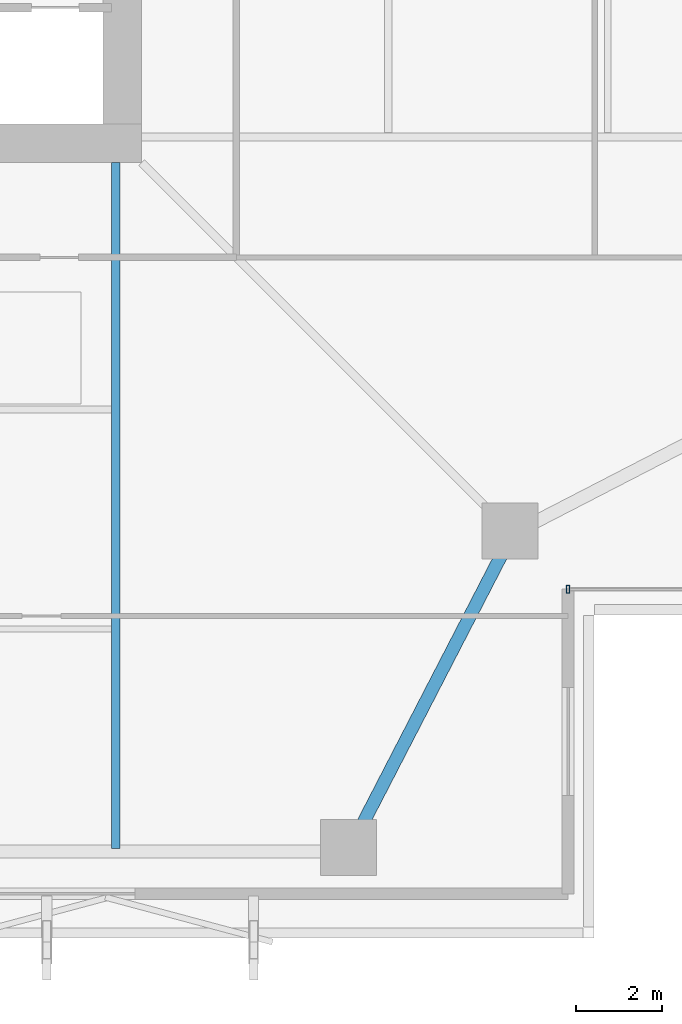
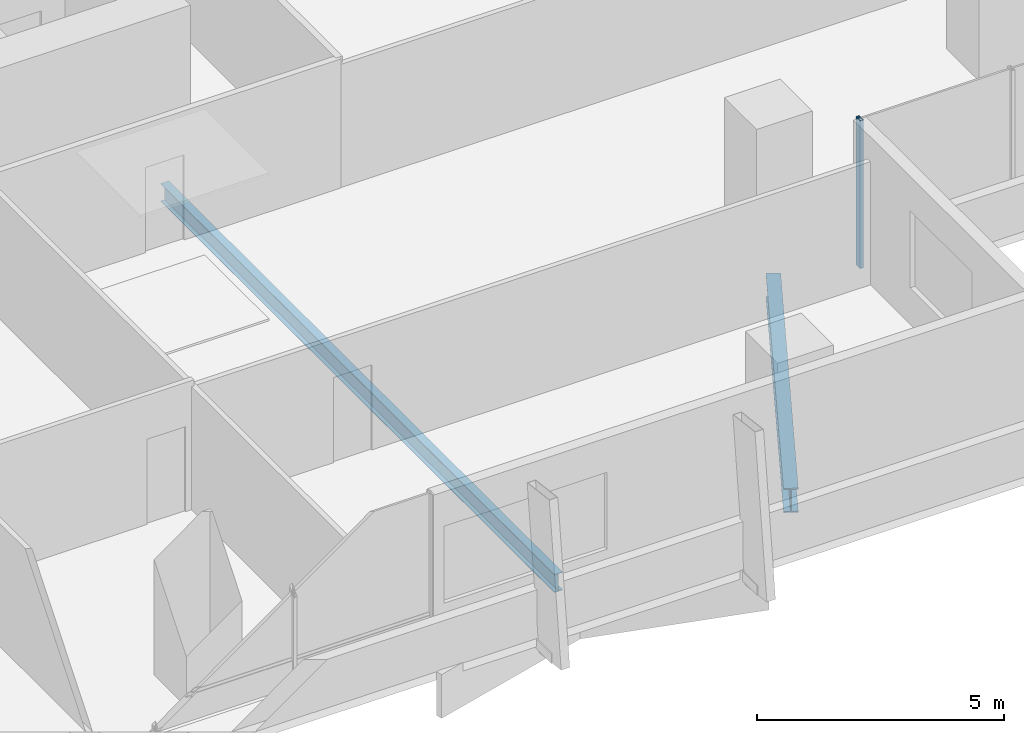
# One storey, part 12 of 34: 2 beams, 1 member, 1 element without a shape of its own.
"""IFC4 building model written with IfcOpenShell, lengths in metres."""

from ifc_helpers import new_model, si_unit, direction, frame, origin, origin_2d, place, context, subcontext, project, spatial, hollow_rectangle, i_section, extrude, material, layer, layer_set, material_profile, profile_set, type_object, element, aggregate, save


model = new_model("IFC4")

# Units and contexts
model_context = context("Model", 3, precision=1e-05, world=origin(), true_north=direction((0.0, 1.0)))
body_context = subcontext(model_context, "Body", "Model", "MODEL_VIEW")
ifc_project = project(units=[si_unit("LENGTHUNIT", "METRE"), si_unit("AREAUNIT", "SQUARE_METRE"), si_unit("VOLUMEUNIT", "CUBIC_METRE"), si_unit("PLANEANGLEUNIT", "RADIAN"), si_unit("MASSUNIT", "GRAM", prefix="KILO")], contexts=[model_context])

# Site, building, storey
site_placement = place(None, origin())
site = spatial("IfcSite", under=ifc_project, at=site_placement, CompositionType="ELEMENT")
building_placement = place(site_placement, origin())
building = spatial("IfcBuilding", under=site, at=building_placement, Name="Belovzor Exchange Tower", CompositionType="ELEMENT")
storey_placement = place(building_placement, frame((0.0, 0.0, 113.39990234375)))
storey = spatial("IfcBuildingStorey", under=building, at=storey_placement, Name="L27", CompositionType="ELEMENT", Elevation=113.39990234375)

# Curtain wall, member
ifc_material_1 = material(Name="Anodised Aluminium Framing", Category="aluminium")
ifc_layer = layer(ifc_material_1, 0.195068359375)
ifc_layer_set = layer_set([ifc_layer], Name="Anodised Aluminium Framing")
curtain_wall_type = type_object("IfcCurtainWallType", Name="Notched Re-Entrant Corner Unitised Curtain Wall", PredefinedType="NOTDEFINED", material=ifc_layer_set)
curtain_wall_placement = place(storey_placement, origin())
curtain_wall = element("IfcCurtainWall", 1, at=curtain_wall_placement, inside=storey, type_object=curtain_wall_type, Name="CW5 Notched Re-Entrant Corner Unitised Curtain Wall L27", PredefinedType="NOTDEFINED")
ifc_material_2 = material(Name="Steel S355", Category="steel")
ifc_material_profile_1 = material_profile(ifc_material_2, hollow_rectangle(XDim=0.074951171875, YDim=0.179931640625, WallThickness=0.0048828125, at=origin_2d()))
ifc_profile_set_1 = profile_set([ifc_material_profile_1], Name="Steel S355")
member_type = type_object("IfcMemberType", Name="Thermally Broken Curtain Wall Mullion 180x75", PredefinedType="MULLION", material=ifc_profile_set_1)
member_placement = place(storey_placement, frame((47.699951171875, 9.89990234375, 0.0), z_axis=(0.0, 0.0, 1.0), x_axis=(-1.0, 0.0, 0.0)))
member = element("IfcMember", 2, at=member_placement, type_object=member_type, Name="CW-M180 Curtain Wall Mullion 3", PredefinedType="MULLION", context=body_context, shape_type="SweptSolid", body=[
    extrude(hollow_rectangle(XDim=0.074951171875, YDim=0.179931640625, WallThickness=0.0048828125, at=origin_2d()), origin(), (0.0, 0.0, 1.0), 3.650146484375),
])
aggregate(curtain_wall, [member])

# Beams
ifc_material_3 = material(Name="Steel S355", Category="steel")
ifc_material_profile_2 = material_profile(ifc_material_3, i_section(OverallWidth=0.300048828125, OverallDepth=0.60009765625, WebThickness=0.015380859375, FlangeThickness=0.030029296875, at=origin_2d()))
ifc_profile_set_2 = profile_set([ifc_material_profile_2], Name="Steel S355")
beam_type_1 = type_object("IfcBeamType", Name="Zone 2 Primary Perimeter Girder HEB 600", PredefinedType="BEAM", material=ifc_profile_set_2)
beam_1_placement = place(storey_placement, frame((42.763916015625, 4.1259765625, -0.5498046875), z_axis=(0.458830506694, 0.888523812921, 0.0), x_axis=(-0.888523812921, 0.458830506694, 0.0)))
element("IfcBeam", 3, at=beam_1_placement, inside=storey, type_object=beam_type_1, Name="FG-Z2 Zone 2 Primary Perimeter Girder HEB 600", PredefinedType="BEAM", context=body_context, shape_type="SweptSolid", body=[
    extrude(i_section(OverallWidth=0.300048828125, OverallDepth=0.60009765625, WebThickness=0.015380859375, FlangeThickness=0.030029296875, at=origin_2d()), origin(), (0.0, 0.0, 1.0), 7.59130859375),
])
ifc_material_4 = material(Name="Steel S355", Category="steel")
ifc_material_profile_3 = material_profile(ifc_material_4, i_section(OverallWidth=0.18994140625, OverallDepth=0.449951171875, WebThickness=0.009521484375, FlangeThickness=0.0146484375, at=origin_2d()))
ifc_profile_set_3 = profile_set([ifc_material_profile_3], Name="Steel S355")
beam_type_2 = type_object("IfcBeamType", Name="Zone 2-4 Radial Composite Floor Beam IPE 450", PredefinedType="BEAM", material=ifc_profile_set_3)
beam_2_placement = place(storey_placement, frame((37.199951171875, 19.800048828125, -0.474853515625), z_axis=(0.0, -1.0, 0.0), x_axis=(1.0, 0.0, 0.0)))
element("IfcBeam", 4, at=beam_2_placement, inside=storey, type_object=beam_type_2, Name="FB-450 Zone 2-4 Radial Composite Floor Beam IPE 450", PredefinedType="BEAM", context=body_context, shape_type="SweptSolid", body=[
    extrude(i_section(OverallWidth=0.18994140625, OverallDepth=0.449951171875, WebThickness=0.009521484375, FlangeThickness=0.0146484375, at=origin_2d()), origin(), (0.0, 0.0, 1.0), 15.9169921875),
])

save(model, "model.ifc")
